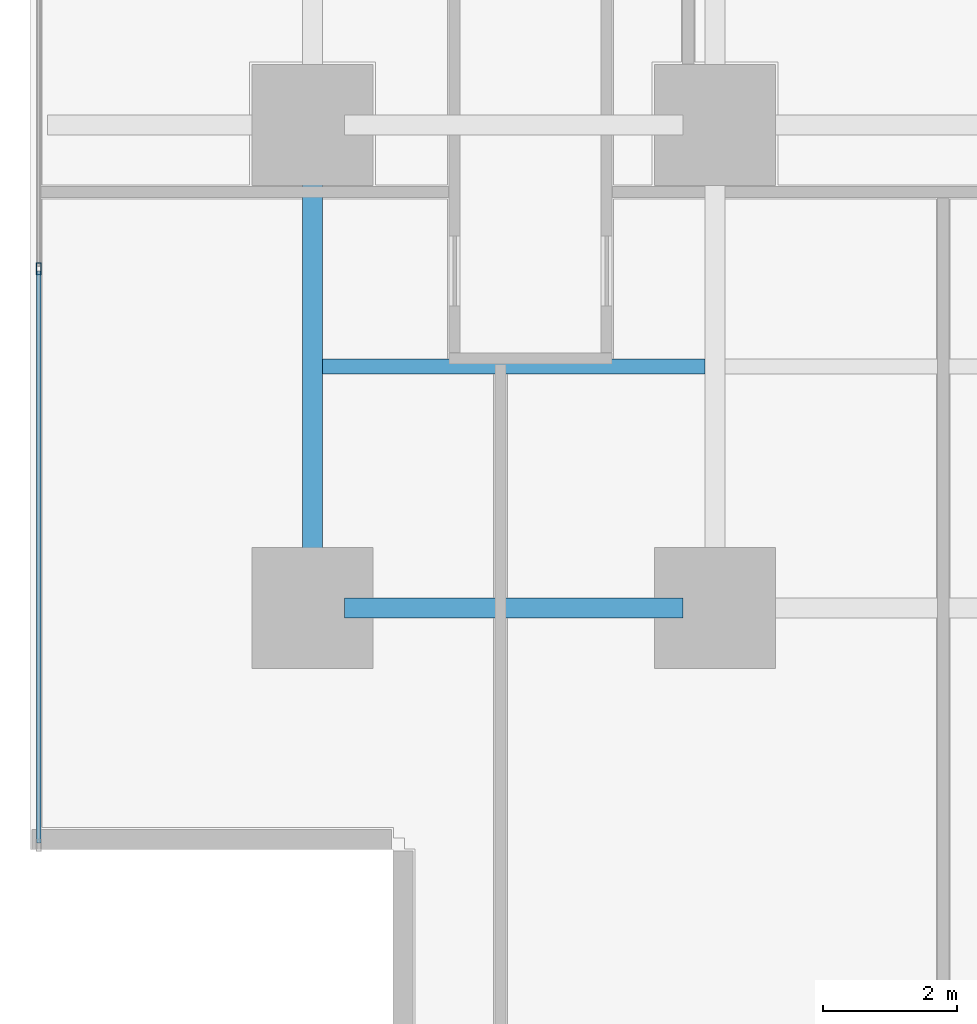
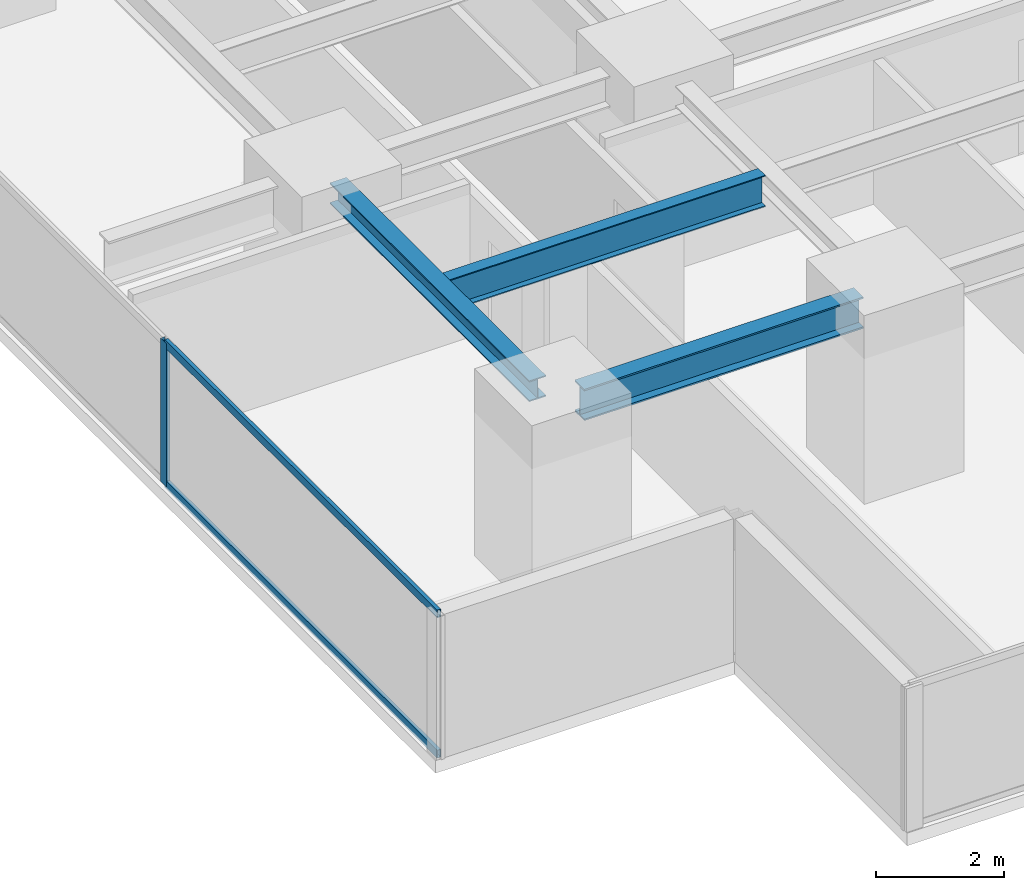
# One storey, part 3 of 33: 3 beams, 3 members, 1 element without a shape of its own.
"""IFC4 building model written with IfcOpenShell, lengths in metres."""

import ifcopenshell
import ifcopenshell.guid

model = None  # the IFC model being written
_history = None  # IfcOwnerHistory: only IFC2X3 demands one
_inside = {}  # id of a spatial element -> (the spatial element, [elements in it])
_under = {}  # id of a project, library or spatial element -> (it, [spatial elements below it])
_declared = {}  # id of a project -> (the project, [libraries it declares])
_typed = {}  # id of a type object -> (the type object, [elements of that type])
_made_of = {}  # id of a material, layer set ... -> (it, [elements and type objects made of it])


def new_model(schema):
    """Start an empty IFC model of exactly this schema.

    Asked for "IFC4X3", IfcOpenShell would pick the latest addendum, in which some entities
    have other attributes; the version numbers below select the first issue.
    IFC2X3 requires an IfcOwnerHistory on every rooted entity: one is made here for all.
    """
    global model, _history
    if schema == "IFC4X3":
        model = ifcopenshell.file(schema_version=(4, 3, 0, 0))
    else:
        model = ifcopenshell.file(schema=schema)
    _inside.clear()
    _under.clear()
    _declared.clear()
    _typed.clear()
    _made_of.clear()
    _history = None
    if model.schema == "IFC2X3":
        org = make("IfcOrganization", Name="unknown")
        user = make(
            "IfcPersonAndOrganization",
            ThePerson=make("IfcPerson", FamilyName="unknown"),
            TheOrganization=org,
        )
        app = make(
            "IfcApplication",
            ApplicationDeveloper=org,
            Version="unknown",
            ApplicationFullName="unknown",
            ApplicationIdentifier="unknown",
        )
        _history = make(
            "IfcOwnerHistory",
            OwningUser=user,
            OwningApplication=app,
            ChangeAction="ADDED",
            CreationDate=0,
        )
    return model


def make(cls, **values):
    """One entity of the class cls with the attributes given. An attribute that is None is left unset."""
    return model.create_entity(
        cls, **{name: value for name, value in values.items() if value is not None}
    )


def rooted(cls, **values):
    """An entity with a GlobalId (a new one), such as an element, a storey or a relation."""
    return make(cls, GlobalId=ifcopenshell.guid.new(), OwnerHistory=_history, **values)


def si_unit(unit_type, name, prefix=None):
    """IfcSIUnit, for example si_unit("LENGTHUNIT", "METRE", prefix="MILLI")."""
    return make("IfcSIUnit", UnitType=unit_type, Prefix=prefix, Name=name)


def assignment(units):
    """IfcUnitAssignment: the units of a project."""
    return None if units is None else make("IfcUnitAssignment", Units=units)


def point(xyz):
    """IfcCartesianPoint."""
    return None if xyz is None else make("IfcCartesianPoint", Coordinates=xyz)


def direction(xyz):
    """IfcDirection."""
    return None if xyz is None else make("IfcDirection", DirectionRatios=xyz)


def frame(location, z_axis=None, x_axis=None):
    """IfcAxis2Placement3D, a coordinate frame: its origin and axes. An axis left out is left unset."""
    return make(
        "IfcAxis2Placement3D",
        Location=point(location),
        Axis=direction(z_axis),
        RefDirection=direction(x_axis),
    )


def frame_2d(location, x_axis=None):
    """IfcAxis2Placement2D, a coordinate frame in the plane: its origin and x axis."""
    return make(
        "IfcAxis2Placement2D", Location=point(location), RefDirection=direction(x_axis)
    )


def origin():
    """The frame at (0, 0, 0) with its axes left unset."""
    return frame((0.0, 0.0, 0.0))


def origin_2d():
    """The frame at (0, 0) in the plane with its x axis left unset."""
    return frame_2d((0.0, 0.0))


def place(relative_to, where):
    """IfcLocalPlacement: puts the frame where relative to a parent placement (None: the world)."""
    return make(
        "IfcLocalPlacement", PlacementRelTo=relative_to, RelativePlacement=where
    )


def context(
    kind, dimensions, precision=None, world=None, true_north=None, identifier=None
):
    """IfcGeometricRepresentationContext, for example the 3D "Model" context."""
    return make(
        "IfcGeometricRepresentationContext",
        ContextIdentifier=identifier,
        ContextType=kind,
        CoordinateSpaceDimension=dimensions,
        Precision=precision,
        WorldCoordinateSystem=world,
        TrueNorth=true_north,
    )


def subcontext(parent, identifier, kind, view, scale=None):
    """IfcGeometricRepresentationSubContext, for example "Body" below "Model"."""
    return make(
        "IfcGeometricRepresentationSubContext",
        ContextIdentifier=identifier,
        ContextType=kind,
        ParentContext=parent,
        TargetScale=scale,
        TargetView=view,
    )


def project(units=None, contexts=None):
    """IfcProject with its units and contexts."""
    return rooted(
        "IfcProject",
        Name="project",
        RepresentationContexts=contexts,
        UnitsInContext=assignment(units),
    )


def spatial(cls, under=None, at=None, **own):
    """A site, building, storey or space (cls), placed at a placement, below another one or the project."""
    s = rooted(cls, ObjectPlacement=at, **own)
    if under is not None:
        _under.setdefault(under.id(), (under, []))[1].append(s)
    return s


def profile(cls, at=None, kind="AREA", **sizes):
    """A parametric profile (cls). Its sizes go by their IFC names, for example OverallWidth=200.0."""
    return make(cls, ProfileType=kind, Position=at, **sizes)


def hollow_rectangle(**sizes):
    """IfcRectangleHollowProfileDef."""
    return profile("IfcRectangleHollowProfileDef", **sizes)


def i_section(**sizes):
    """IfcIShapeProfileDef."""
    return profile("IfcIShapeProfileDef", **sizes)


def extrude(swept, where, along, depth):
    """IfcExtrudedAreaSolid: the profile swept, set in the frame where, extruded along a direction by depth."""
    return make(
        "IfcExtrudedAreaSolid",
        SweptArea=swept,
        Position=where,
        ExtrudedDirection=direction(along),
        Depth=depth,
    )


def shape(context_of_items, identifier, shape_type, items):
    """IfcShapeRepresentation: the items that make up one representation, for example the "Body"."""
    return make(
        "IfcShapeRepresentation",
        ContextOfItems=context_of_items,
        RepresentationIdentifier=identifier,
        RepresentationType=shape_type,
        Items=items,
    )


def source(mapping_origin, context_of_items, identifier, shape_type, items):
    """IfcRepresentationMap: a shape defined once, which mapped items show again and again."""
    return make(
        "IfcRepresentationMap",
        MappingOrigin=mapping_origin,
        MappedRepresentation=shape(context_of_items, identifier, shape_type, items),
    )


def transform(
    local_origin,
    x_axis=None,
    y_axis=None,
    z_axis=None,
    scale=None,
    scale2=None,
    scale3=None,
    uniform=True,
):
    """IfcCartesianTransformationOperator3D, or its non-uniform kind. x_axis, y_axis, z_axis: its Axis1, 2, 3."""
    if uniform:
        return make(
            "IfcCartesianTransformationOperator3D",
            Axis1=direction(x_axis),
            Axis2=direction(y_axis),
            LocalOrigin=point(local_origin),
            Scale=scale,
            Axis3=direction(z_axis),
        )
    return make(
        "IfcCartesianTransformationOperator3DnonUniform",
        Axis1=direction(x_axis),
        Axis2=direction(y_axis),
        LocalOrigin=point(local_origin),
        Scale=scale,
        Axis3=direction(z_axis),
        Scale2=scale2,
        Scale3=scale3,
    )


def mapped(mapping_source, mapping_target):
    """IfcMappedItem: shows the shape of a source again, moved by a transform."""
    return make(
        "IfcMappedItem", MappingSource=mapping_source, MappingTarget=mapping_target
    )


def material(Name=None, Category=None):
    """IfcMaterial."""
    return make("IfcMaterial", Name=Name, Category=Category)


def layer(
    of_material, thickness, ventilated=None, Name=None, Category=None, Priority=None
):
    """IfcMaterialLayer: one layer of a wall or slab, of a material (None: an air gap)."""
    return make(
        "IfcMaterialLayer",
        Material=of_material,
        LayerThickness=thickness,
        IsVentilated=ventilated,
        Name=Name,
        Category=Category,
        Priority=Priority,
    )


def layer_set(layers, Name=None):
    """IfcMaterialLayerSet."""
    return make("IfcMaterialLayerSet", MaterialLayers=layers, LayerSetName=Name)


def material_profile(
    of_material, cross_section, Name=None, Category=None, Priority=None
):
    """IfcMaterialProfile: a cross section and its material."""
    return make(
        "IfcMaterialProfile",
        Name=Name,
        Material=of_material,
        Profile=cross_section,
        Priority=Priority,
        Category=Category,
    )


def profile_set(profiles, Name=None, composite=None):
    """IfcMaterialProfileSet."""
    return make(
        "IfcMaterialProfileSet",
        Name=Name,
        MaterialProfiles=profiles,
        CompositeProfile=composite,
    )


def made_of(thing, what):
    """Note that an element or type object is made of a material, layer set ...; save() writes the relation."""
    if what is not None:
        _made_of.setdefault(what.id(), (what, []))[1].append(thing)
    return thing


def type_object(cls, material=None, **own):
    """A type object (cls), such as IfcWallType, which elements share."""
    return made_of(rooted(cls, **own), material)


def element(
    cls,
    number,
    at=None,
    inside=None,
    cuts=None,
    type_object=None,
    material=None,
    context=None,
    identifier="Body",
    shape_type=None,
    held_by="IfcProductDefinitionShape",
    body=None,
    shapes=None,
    **own,
):
    """One element of the class cls, such as IfcWall. Its Tag is "e" and its number.

    at: its placement. inside: the storey or other place that contains it. cuts: it is an
    opening in that element (IfcRelVoidsElement). A single representation is given by context,
    identifier, shape_type and body (its items); several are given by shapes. held_by: the class
    of the entity that holds the representations. save() writes the other relations.
    """
    e = rooted(cls, Tag="e%d" % number, ObjectPlacement=at, **own)
    if body is not None:
        shapes = [shape(context, identifier, shape_type, body)]
    if shapes is not None:
        e.Representation = make(held_by, Representations=shapes)
    if inside is not None:
        _inside.setdefault(inside.id(), (inside, []))[1].append(e)
    if cuts is not None:
        rooted(
            "IfcRelVoidsElement", RelatingBuildingElement=cuts, RelatedOpeningElement=e
        )
    if type_object is not None:
        _typed.setdefault(type_object.id(), (type_object, []))[1].append(e)
    return made_of(e, material)


def aggregate(whole, parts):
    """IfcRelAggregates: a whole, such as a stair, and the parts it consists of."""
    return rooted("IfcRelAggregates", RelatingObject=whole, RelatedObjects=parts)


def save(model, path):
    """Write the relations noted so far, then the file.

    IfcRelAggregates (storeys below a building ...), IfcRelContainedInSpatialStructure (elements
    in a storey), IfcRelDefinesByType, IfcRelAssociatesMaterial and IfcRelDeclares: one each for
    every whole, place, type object, material and project.
    """
    for whole, parts in _under.values():
        aggregate(whole, parts)
    for where, things in _inside.values():
        rooted(
            "IfcRelContainedInSpatialStructure",
            RelatedElements=things,
            RelatingStructure=where,
        )
    for kind, things in _typed.values():
        rooted("IfcRelDefinesByType", RelatedObjects=things, RelatingType=kind)
    for what, things in _made_of.values():
        rooted("IfcRelAssociatesMaterial", RelatedObjects=things, RelatingMaterial=what)
    for by, libraries in _declared.values():
        rooted("IfcRelDeclares", RelatingContext=by, RelatedDefinitions=libraries)
    model.write(path)


model = new_model("IFC4")

# Units and contexts
model_context = context("Model", 3, precision=1e-05, world=origin(), true_north=direction((0.0, 1.0)))
body_context = subcontext(model_context, "Body", "Model", "MODEL_VIEW")
ifc_project = project(units=[si_unit("LENGTHUNIT", "METRE"), si_unit("AREAUNIT", "SQUARE_METRE"), si_unit("VOLUMEUNIT", "CUBIC_METRE"), si_unit("PLANEANGLEUNIT", "RADIAN"), si_unit("MASSUNIT", "GRAM", prefix="KILO")], contexts=[model_context])

# Site, building, storey
site_placement = place(None, origin())
site = spatial("IfcSite", under=ifc_project, at=site_placement, CompositionType="ELEMENT")
building_placement = place(site_placement, origin())
building = spatial("IfcBuilding", under=site, at=building_placement, Name="Sumidabori Civic Tower", CompositionType="ELEMENT")
storey_placement = place(building_placement, frame((0.0, 0.0, 59.60009765625)))
storey = spatial("IfcBuildingStorey", under=building, at=storey_placement, Name="L15", CompositionType="ELEMENT", Elevation=59.60009765625)

# Beams
ifc_material_1 = material(Name="Steel SN490", Category="steel")
ifc_material_profile_1 = material_profile(ifc_material_1, i_section(OverallWidth=0.300048828125, OverallDepth=0.60009765625, WebThickness=0.015380859375, FlangeThickness=0.030029296875, at=origin_2d()), Name="HE 600 B")
ifc_profile_set_1 = profile_set([ifc_material_profile_1], Name="Steel SN490")
beam_type_1 = type_object("IfcBeamType", Name="BM-GIRD-600", PredefinedType="BEAM", material=ifc_profile_set_1)
shared_shape_1 = source(origin(), body_context, "Body", "SweptSolid", [
    extrude(i_section(OverallWidth=0.300048828125, OverallDepth=0.60009765625, WebThickness=0.015380859375, FlangeThickness=0.030029296875, at=origin_2d()), origin(), (0.0, 0.0, 1.0), 5.0400390625),
])
beam_1_placement = place(storey_placement, frame((-22.320068359375, -18.0, 3.059814453125), z_axis=(1.0, 0.0, 0.0), x_axis=(0.0, 1.0, 0.0)))
element("IfcBeam", 1, at=beam_1_placement, inside=storey, type_object=beam_type_1, Name="Primary Girder L15 GX-01", PredefinedType="BEAM", context=body_context, shape_type="MappedRepresentation", body=[
    mapped(shared_shape_1, transform((0.0, 0.0, 0.0), x_axis=(1.0, 0.0, 0.0), y_axis=(0.0, 1.0, 0.0), z_axis=(0.0, 0.0, 1.0), scale=1.0)),
])
ifc_material_profile_2 = material_profile(ifc_material_1, i_section(OverallWidth=0.300048828125, OverallDepth=0.39990234375, WebThickness=0.013427734375, FlangeThickness=0.02392578125, at=origin_2d()), Name="HE 400 B")
ifc_profile_set_2 = profile_set([ifc_material_profile_2], Name="Steel SN490")
beam_type_2 = type_object("IfcBeamType", Name="BM-GIRD-400", PredefinedType="BEAM", material=ifc_profile_set_2)
shared_shape_2 = source(origin(), body_context, "Body", "SweptSolid", [
    extrude(i_section(OverallWidth=0.300048828125, OverallDepth=0.39990234375, WebThickness=0.013427734375, FlangeThickness=0.02392578125, at=origin_2d()), origin(), (0.0, 0.0, 1.0), 6.239990234375),
])
beam_2_placement = place(storey_placement, frame((-22.800048828125, -17.52001953125, 3.159912109375), z_axis=(0.0, 1.0, 0.0), x_axis=(-1.0, 0.0, 0.0)))
element("IfcBeam", 2, at=beam_2_placement, inside=storey, type_object=beam_type_2, Name="Primary Girder L15 GY-21", PredefinedType="BEAM", context=body_context, shape_type="MappedRepresentation", body=[
    mapped(shared_shape_2, transform((0.0, 0.0, 0.0), x_axis=(1.0, 0.0, 0.0), y_axis=(0.0, 1.0, 0.0), z_axis=(0.0, 0.0, 1.0), scale=1.0)),
])
ifc_material_profile_3 = material_profile(ifc_material_1, i_section(OverallWidth=0.219970703125, OverallDepth=0.60009765625, WebThickness=0.011962890625, FlangeThickness=0.01904296875, at=origin_2d()), Name="IPE 600")
ifc_profile_set_3 = profile_set([ifc_material_profile_3], Name="Steel SN490")
beam_type_3 = type_object("IfcBeamType", Name="BM-JST-600", PredefinedType="JOIST", material=ifc_profile_set_3)
shared_shape_3 = source(origin(), body_context, "Body", "SweptSolid", [
    extrude(i_section(OverallWidth=0.219970703125, OverallDepth=0.60009765625, WebThickness=0.011962890625, FlangeThickness=0.01904296875, at=origin_2d()), origin(), (0.0, 0.0, 1.0), 5.699951171875),
])
beam_3_placement = place(storey_placement, frame((-22.64990234375, -14.39990234375, 3.059814453125), z_axis=(1.0, 0.0, 0.0), x_axis=(0.0, 1.0, 0.0)))
element("IfcBeam", 3, at=beam_3_placement, inside=storey, type_object=beam_type_3, Name="Outer Bay Floor Joist L15 JSTO-57", PredefinedType="JOIST", context=body_context, shape_type="MappedRepresentation", body=[
    mapped(shared_shape_3, transform((0.0, 0.0, 0.0), x_axis=(1.0, 0.0, 0.0), y_axis=(0.0, 1.0, 0.0), z_axis=(0.0, 0.0, 1.0), scale=1.0)),
])

# Curtain wall, members
ifc_material_2 = material(Name="Anodised Bronze Aluminium AW-6063-T6", Category="aluminium")
ifc_layer = layer(ifc_material_2, 0.179931640625, Name="Anodised Bronze Aluminium AW-6063-T6")
ifc_layer_set = layer_set([ifc_layer], Name="Anodised Bronze Aluminium AW-6063-T6")
curtain_wall_type = type_object("IfcCurtainWallType", Name="CW-SYS-2", PredefinedType="NOTDEFINED", material=ifc_layer_set)
curtain_wall_placement = place(storey_placement, origin())
curtain_wall = element("IfcCurtainWall", 4, at=curtain_wall_placement, inside=storey, type_object=curtain_wall_type, Name="Curtain Wall CW:L15:R10", PredefinedType="NOTDEFINED")
ifc_material_profile_4 = material_profile(ifc_material_2, hollow_rectangle(XDim=0.070068359375, YDim=0.179931640625, WallThickness=0.006103515625, at=origin_2d()), Name="ALU MULLION 180x70")
ifc_profile_set_4 = profile_set([ifc_material_profile_4], Name="Anodised Bronze Aluminium AW-6063-T6")
member_type_1 = type_object("IfcMemberType", Name="CW-MUL-180", PredefinedType="MULLION", material=ifc_profile_set_4)
shared_shape_4 = source(origin(), body_context, "Body", "SweptSolid", [
    extrude(hollow_rectangle(XDim=0.070068359375, YDim=0.179931640625, WallThickness=0.006103515625, at=origin_2d()), origin(), (0.0, 0.0, 1.0), 2.739990234375),
])
member_1_placement = place(storey_placement, frame((-26.8798828125, -12.94189453125, 0.0), z_axis=(0.0, 0.0, 1.0), x_axis=(1.0, 0.0, 0.0)))
member_1 = element("IfcMember", 5, at=member_1_placement, type_object=member_type_1, Name="CW-2 mullion 5", PredefinedType="MULLION", context=body_context, shape_type="MappedRepresentation", body=[
    mapped(shared_shape_4, transform((0.0, 0.0, 0.0), x_axis=(1.0, 0.0, 0.0), y_axis=(0.0, 1.0, 0.0), z_axis=(0.0, 0.0, 1.0), scale=1.0)),
])
ifc_material_profile_5 = material_profile(ifc_material_2, hollow_rectangle(XDim=0.06494140625, YDim=0.14990234375, WallThickness=0.0048828125, at=origin_2d()), Name="ALU TRANSOM 150x65")
ifc_profile_set_5 = profile_set([ifc_material_profile_5], Name="Anodised Bronze Aluminium AW-6063-T6")
member_type_2 = type_object("IfcMemberType", Name="CW-TRN-150", PredefinedType="USERDEFINED", material=ifc_profile_set_5)
shared_shape_5 = source(origin(), body_context, "Body", "SweptSolid", [
    extrude(hollow_rectangle(XDim=0.06494140625, YDim=0.14990234375, WallThickness=0.0048828125, at=origin_2d()), origin(), (0.0, 0.0, 1.0), 8.52294921875),
])
member_2_placement = place(storey_placement, frame((-26.8798828125, -12.97705078125, 0.032470703125), z_axis=(0.0, -1.0, 0.0), x_axis=(1.0, 0.0, 0.0)))
member_2 = element("IfcMember", 6, at=member_2_placement, type_object=member_type_2, Name="CW-2 transom 5.1", ObjectType="TRANSOM", PredefinedType="USERDEFINED", context=body_context, shape_type="MappedRepresentation", body=[
    mapped(shared_shape_5, transform((0.0, 0.0, 0.0), x_axis=(1.0, 0.0, 0.0), y_axis=(0.0, 1.0, 0.0), z_axis=(0.0, 0.0, 1.0), scale=1.0)),
])
member_3_placement = place(storey_placement, frame((-26.8798828125, -12.97705078125, 2.70751953125), z_axis=(0.0, -1.0, 0.0), x_axis=(1.0, 0.0, 0.0)))
member_3 = element("IfcMember", 7, at=member_3_placement, type_object=member_type_2, Name="CW-2 transom 5.2", ObjectType="TRANSOM", PredefinedType="USERDEFINED", context=body_context, shape_type="MappedRepresentation", body=[
    mapped(shared_shape_5, transform((0.0, 0.0, 0.0), x_axis=(1.0, 0.0, 0.0), y_axis=(0.0, 1.0, 0.0), z_axis=(0.0, 0.0, 1.0), scale=1.0)),
])
aggregate(curtain_wall, [member_1, member_2, member_3])

save(model, "model.ifc")
